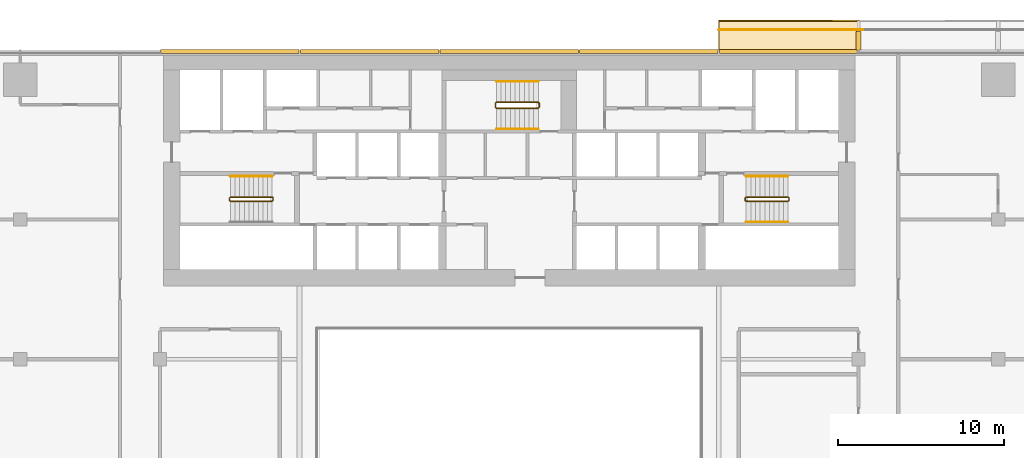
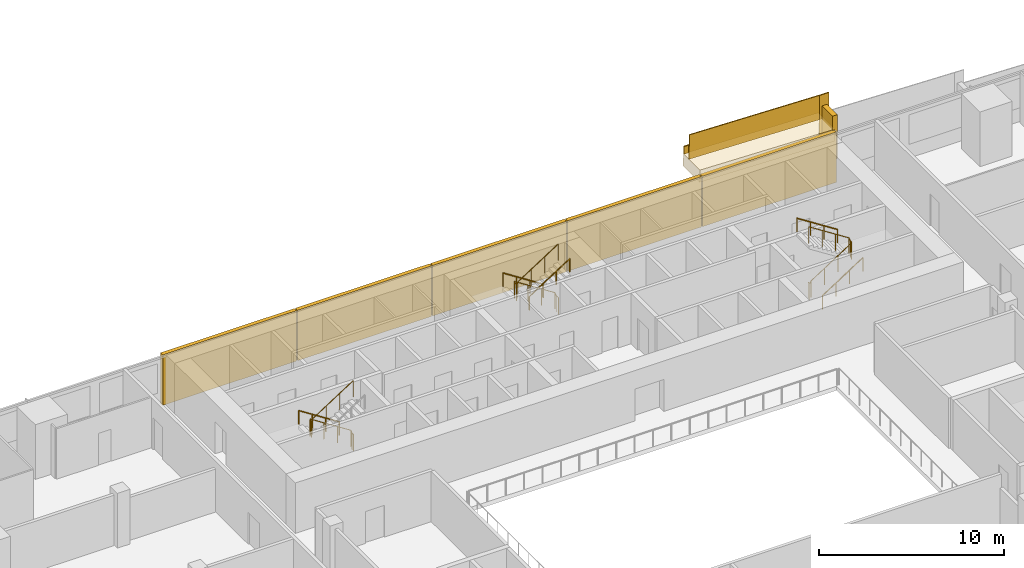
# One storey, part 28 of 30: 10 railings, 8 coverings.
"""IFC4 building model written with IfcOpenShell, lengths in metres."""

from ifc_helpers import new_model, si_unit, direction, frame, origin, origin_2d, place, context, subcontext, project, spatial, polyline, rectangle, circle, outline, extrude, material, layer, layer_set, type_object, element, save


model = new_model("IFC4")

# Units and contexts
model_context = context("Model", 3, precision=1e-05, world=origin(), true_north=direction((0.0, 1.0)))
body_context = subcontext(model_context, "Body", "Model", "MODEL_VIEW")
ifc_project = project(units=[si_unit("LENGTHUNIT", "METRE"), si_unit("AREAUNIT", "SQUARE_METRE"), si_unit("VOLUMEUNIT", "CUBIC_METRE"), si_unit("PLANEANGLEUNIT", "RADIAN"), si_unit("MASSUNIT", "GRAM", prefix="KILO")], contexts=[model_context])

# Site, building, storey
site_placement = place(None, origin())
site = spatial("IfcSite", under=ifc_project, at=site_placement, CompositionType="ELEMENT")
building_placement = place(site_placement, origin())
building = spatial("IfcBuilding", under=site, at=building_placement, Name="Saffron Gate Tower", CompositionType="ELEMENT")
storey_placement = place(building_placement, frame((0.0, 0.0, 95.25)))
storey = spatial("IfcBuildingStorey", under=building, at=storey_placement, Name="L21", CompositionType="ELEMENT", Elevation=95.25)

# Coverings
ifc_material_1 = material(Name="Ceramic-printed bronze insulated panel")
ifc_layer_1 = layer(ifc_material_1, 0.239990234375)
ifc_layer_set_1 = layer_set([ifc_layer_1], Name="CLD2 ceramic-printed cladding panel 240")
covering_type_1 = type_object("IfcCoveringType", Name="CLD2 ceramic-printed cladding panel 240", PredefinedType="CLADDING", material=ifc_layer_set_1)
covering_1_placement = place(storey_placement, origin())
element("IfcCovering", 1, at=covering_1_placement, inside=storey, type_object=covering_type_1, Name="CLADDING ceramic-printed panel", PredefinedType="CLADDING", context=body_context, shape_type="SweptSolid", body=[
    extrude(outline(polyline([(108.56494140625, 75.639892578125), (100.235107421875, 75.639892578125), (100.235107421875, 75.39990234375), (108.56494140625, 75.39990234375), (108.56494140625, 75.639892578125)])), origin(), (0.0, 0.0, 1.0), 3.320068359375),
])
covering_2_placement = place(storey_placement, origin())
element("IfcCovering", 2, at=covering_2_placement, inside=storey, type_object=covering_type_1, Name="CLADDING ceramic-printed panel", PredefinedType="CLADDING", context=body_context, shape_type="SweptSolid", body=[
    extrude(outline(polyline([(100.1650390625, 75.639892578125), (91.8349609375, 75.639892578125), (91.8349609375, 75.39990234375), (100.1650390625, 75.39990234375), (100.1650390625, 75.639892578125)])), origin(), (0.0, 0.0, 1.0), 3.320068359375),
])
covering_3_placement = place(storey_placement, origin())
element("IfcCovering", 3, at=covering_3_placement, inside=storey, type_object=covering_type_1, Name="CLADDING ceramic-printed panel", PredefinedType="CLADDING", context=body_context, shape_type="SweptSolid", body=[
    extrude(outline(polyline([(91.764892578125, 75.639892578125), (83.43505859375, 75.639892578125), (83.43505859375, 75.39990234375), (91.764892578125, 75.39990234375), (91.764892578125, 75.639892578125)])), origin(), (0.0, 0.0, 1.0), 3.320068359375),
])
covering_4_placement = place(storey_placement, origin())
element("IfcCovering", 4, at=covering_4_placement, inside=storey, type_object=covering_type_1, Name="CLADDING ceramic-printed panel", PredefinedType="CLADDING", context=body_context, shape_type="SweptSolid", body=[
    extrude(outline(polyline([(83.364990234375, 75.639892578125), (75.034912109375, 75.639892578125), (75.034912109375, 75.39990234375), (83.364990234375, 75.39990234375), (83.364990234375, 75.639892578125)])), origin(), (0.0, 0.0, 1.0), 3.320068359375),
])
covering_5_placement = place(storey_placement, origin())
element("IfcCovering", 5, at=covering_5_placement, inside=storey, type_object=covering_type_1, Name="CLADDING ceramic-printed panel", PredefinedType="CLADDING", context=body_context, shape_type="SweptSolid", body=[
    extrude(outline(polyline([(74.965087890625, 75.639892578125), (66.635009765625, 75.639892578125), (66.635009765625, 75.39990234375), (74.965087890625, 75.39990234375), (74.965087890625, 75.639892578125)])), origin(), (0.0, 0.0, 1.0), 3.320068359375),
])

# Railings
ifc_material_2 = material(Name="Stainless steel and laminated glass", Category="steel")
railing_type_1 = type_object("IfcRailingType", Name="CR1 Stair guard 1100", PredefinedType="GUARDRAIL", material=ifc_material_2)
railing_1_placement = place(storey_placement, frame((73.39990234375, 66.550048828125, 0.0)))
element("IfcRailing", 6, at=railing_1_placement, inside=storey, type_object=railing_type_1, Name="L21 ST-A stair guard 1", PredefinedType="GUARDRAIL", context=body_context, shape_type="SweptSolid", body=[
    extrude(circle(Radius=0.02392578125, at=origin_2d()), frame((0.0, 0.0, 1.076171875), z_axis=(0.0, 1.0, 0.0), x_axis=(-1.0, 0.0, 0.0)), (0.0, 0.0, 1.0), 0.14990234375),
    extrude(circle(Radius=0.02392578125, at=origin_2d()), frame((0.0, 0.14990234375, 1.076171875), z_axis=(-0.257669022063, 0.258932105505, 0.930892496375), x_axis=(-0.708833529934, -0.705375805398, 0.0)), (0.0, 0.0, 1.0), 0.193359375),
    extrude(circle(Radius=0.02392578125, at=origin_2d()), frame((-0.0498046875, 0.199951171875, 1.255859375), z_axis=(-0.841162588446, 0.0, 0.540782303519), x_axis=(0.0, -1.0, 0.0)), (0.0, 0.0, 1.0), 2.995849609375),
    extrude(circle(Radius=0.02392578125, at=origin_2d()), frame((-2.56982421875, 0.199951171875, 2.8759765625), z_axis=(-0.707106781187, -0.707106781187, 0.0), x_axis=(0.707106781187, -0.707106781187, 0.0)), (0.0, 0.0, 1.0), 0.07080078125),
    extrude(circle(Radius=0.02392578125, at=origin_2d()), frame((-2.619873046875, 0.14990234375, 2.8759765625), z_axis=(0.0, -1.0, 0.0), x_axis=(1.0, 0.0, 0.0)), (0.0, 0.0, 1.0), 0.14990234375),
    extrude(circle(Radius=0.02392578125, at=origin_2d()), frame((-2.619873046875, 0.0, 2.8759765625), z_axis=(0.258847668887, -0.258847668887, 0.930588936439), x_axis=(0.707106781187, 0.707106781187, 0.0)), (0.0, 0.0, 1.0), 0.193359375),
    extrude(circle(Radius=0.02392578125, at=origin_2d()), frame((-2.56982421875, -0.050048828125, 3.05615234375), z_axis=(0.841162588446, 0.0, 0.540782303519), x_axis=(0.0, 1.0, 0.0)), (0.0, 0.0, 1.0), 2.995849609375),
    extrude(circle(Radius=0.02099609375, at=origin_2d()), origin(), (0.0, 0.0, 1.0), 1.052001953125),
    extrude(circle(Radius=0.02099609375, at=origin_2d()), frame((0.0, 0.14990234375, 0.0)), (0.0, 0.0, 1.0), 1.052001953125),
    extrude(circle(Radius=0.02099609375, at=origin_2d()), frame((-0.0498046875, 0.199951171875, 0.179931640625)), (0.0, 0.0, 1.0), 1.052001953125),
    extrude(circle(Radius=0.02099609375, at=origin_2d()), frame((-0.889892578125, 0.199951171875, 0.719970703125)), (0.0, 0.0, 1.0), 1.052001953125),
    extrude(circle(Radius=0.02099609375, at=origin_2d()), frame((-1.729736328125, 0.199951171875, 1.260009765625)), (0.0, 0.0, 1.0), 1.052001953125),
    extrude(circle(Radius=0.02099609375, at=origin_2d()), frame((-2.56982421875, 0.199951171875, 1.800048828125)), (0.0, 0.0, 1.0), 1.052001953125),
    extrude(circle(Radius=0.02099609375, at=origin_2d()), frame((-2.619873046875, 0.14990234375, 1.800048828125)), (0.0, 0.0, 1.0), 1.052001953125),
    extrude(circle(Radius=0.02099609375, at=origin_2d()), frame((-2.619873046875, 0.0, 1.800048828125)), (0.0, 0.0, 1.0), 1.052001953125),
    extrude(circle(Radius=0.02099609375, at=origin_2d()), frame((-2.56982421875, -0.050048828125, 1.97998046875)), (0.0, 0.0, 1.0), 1.052001953125),
    extrude(circle(Radius=0.02099609375, at=origin_2d()), frame((-1.729736328125, -0.050048828125, 2.52001953125)), (0.0, 0.0, 1.0), 1.052001953125),
    extrude(circle(Radius=0.02099609375, at=origin_2d()), frame((-0.889892578125, -0.050048828125, 3.06005859375)), (0.0, 0.0, 1.0), 1.052001953125),
    extrude(circle(Radius=0.02099609375, at=origin_2d()), frame((-0.0498046875, -0.050048828125, 3.60009765625)), (0.0, 0.0, 1.0), 1.052001953125),
])
railing_2_placement = place(storey_placement, frame((101.800048828125, 66.699951171875, 0.0)))
element("IfcRailing", 7, at=railing_2_placement, inside=storey, type_object=railing_type_1, Name="L21 ST-B stair guard 1", PredefinedType="GUARDRAIL", context=body_context, shape_type="SweptSolid", body=[
    extrude(circle(Radius=0.02392578125, at=origin_2d()), frame((0.0, 0.0, 1.076171875), z_axis=(0.0, -1.0, 0.0), x_axis=(1.0, 0.0, 0.0)), (0.0, 0.0, 1.0), 0.14990234375),
    extrude(circle(Radius=0.02392578125, at=origin_2d()), frame((0.0, -0.14990234375, 1.076171875), z_axis=(0.258847668887, -0.258847668887, 0.930588936439), x_axis=(0.707106781187, 0.707106781187, 0.0)), (0.0, 0.0, 1.0), 0.193359375),
    extrude(circle(Radius=0.02392578125, at=origin_2d()), frame((0.050048828125, -0.199951171875, 1.255859375), z_axis=(0.841162588446, 0.0, 0.540782303519), x_axis=(0.0, 1.0, 0.0)), (0.0, 0.0, 1.0), 2.995849609375),
    extrude(circle(Radius=0.02392578125, at=origin_2d()), frame((2.570068359375, -0.199951171875, 2.8759765625), z_axis=(0.705375805398, 0.708833529934, 0.0), x_axis=(-0.708833529934, 0.705375805398, 0.0)), (0.0, 0.0, 1.0), 0.070556640625),
    extrude(circle(Radius=0.02392578125, at=origin_2d()), frame((2.619873046875, -0.14990234375, 2.8759765625), z_axis=(0.0, 1.0, 0.0), x_axis=(-1.0, 0.0, 0.0)), (0.0, 0.0, 1.0), 0.14990234375),
    extrude(circle(Radius=0.02392578125, at=origin_2d()), frame((2.619873046875, 0.0, 2.8759765625), z_axis=(-0.257669022063, 0.258932105505, 0.930892496375), x_axis=(-0.708833529934, -0.705375805398, 0.0)), (0.0, 0.0, 1.0), 0.193359375),
    extrude(circle(Radius=0.02392578125, at=origin_2d()), frame((2.570068359375, 0.050048828125, 3.05615234375), z_axis=(-0.841162588446, 0.0, 0.540782303519), x_axis=(0.0, -1.0, 0.0)), (0.0, 0.0, 1.0), 2.995849609375),
    extrude(circle(Radius=0.02099609375, at=origin_2d()), origin(), (0.0, 0.0, 1.0), 1.052001953125),
    extrude(circle(Radius=0.02099609375, at=origin_2d()), frame((0.0, -0.14990234375, 0.0)), (0.0, 0.0, 1.0), 1.052001953125),
    extrude(circle(Radius=0.02099609375, at=origin_2d()), frame((0.050048828125, -0.199951171875, 0.179931640625)), (0.0, 0.0, 1.0), 1.052001953125),
    extrude(circle(Radius=0.02099609375, at=origin_2d()), frame((0.89013671875, -0.199951171875, 0.719970703125)), (0.0, 0.0, 1.0), 1.052001953125),
    extrude(circle(Radius=0.02099609375, at=origin_2d()), frame((1.72998046875, -0.199951171875, 1.260009765625)), (0.0, 0.0, 1.0), 1.052001953125),
    extrude(circle(Radius=0.02099609375, at=origin_2d()), frame((2.570068359375, -0.199951171875, 1.800048828125)), (0.0, 0.0, 1.0), 1.052001953125),
    extrude(circle(Radius=0.02099609375, at=origin_2d()), frame((2.619873046875, -0.14990234375, 1.800048828125)), (0.0, 0.0, 1.0), 1.052001953125),
    extrude(circle(Radius=0.02099609375, at=origin_2d()), frame((2.619873046875, 0.0, 1.800048828125)), (0.0, 0.0, 1.0), 1.052001953125),
    extrude(circle(Radius=0.02099609375, at=origin_2d()), frame((2.570068359375, 0.050048828125, 1.97998046875)), (0.0, 0.0, 1.0), 1.052001953125),
    extrude(circle(Radius=0.02099609375, at=origin_2d()), frame((1.72998046875, 0.050048828125, 2.52001953125)), (0.0, 0.0, 1.0), 1.052001953125),
    extrude(circle(Radius=0.02099609375, at=origin_2d()), frame((0.89013671875, 0.050048828125, 3.06005859375)), (0.0, 0.0, 1.0), 1.052001953125),
    extrude(circle(Radius=0.02099609375, at=origin_2d()), frame((0.050048828125, 0.050048828125, 3.60009765625)), (0.0, 0.0, 1.0), 1.052001953125),
])
railing_3_placement = place(storey_placement, frame((89.39990234375, 72.14990234375, 0.0)))
element("IfcRailing", 8, at=railing_3_placement, inside=storey, type_object=railing_type_1, Name="L21 ST-C stair guard 1", PredefinedType="GUARDRAIL", context=body_context, shape_type="SweptSolid", body=[
    extrude(circle(Radius=0.02392578125, at=origin_2d()), frame((0.0, 0.0, 1.076171875), z_axis=(0.0, 1.0, 0.0), x_axis=(-1.0, 0.0, 0.0)), (0.0, 0.0, 1.0), 0.25),
    extrude(circle(Radius=0.02392578125, at=origin_2d()), frame((0.0, 0.25, 1.076171875), z_axis=(-0.257669022063, 0.258932105505, 0.930892496375), x_axis=(-0.708833529934, -0.705375805398, 0.0)), (0.0, 0.0, 1.0), 0.193359375),
    extrude(circle(Radius=0.02392578125, at=origin_2d()), frame((-0.0498046875, 0.300048828125, 1.255859375), z_axis=(-0.841162588446, 0.0, 0.540782303519), x_axis=(0.0, -1.0, 0.0)), (0.0, 0.0, 1.0), 2.995849609375),
    extrude(circle(Radius=0.02392578125, at=origin_2d()), frame((-2.56982421875, 0.300048828125, 2.8759765625), z_axis=(-0.707106781187, -0.707106781187, 0.0), x_axis=(0.707106781187, -0.707106781187, 0.0)), (0.0, 0.0, 1.0), 0.07080078125),
    extrude(circle(Radius=0.02392578125, at=origin_2d()), frame((-2.619873046875, 0.25, 2.8759765625), z_axis=(0.0, -1.0, 0.0), x_axis=(1.0, 0.0, 0.0)), (0.0, 0.0, 1.0), 0.25),
    extrude(circle(Radius=0.02392578125, at=origin_2d()), frame((-2.619873046875, 0.0, 2.8759765625), z_axis=(0.258932105505, -0.257669022063, 0.930892496375), x_axis=(0.705375805398, 0.708833529934, 0.0)), (0.0, 0.0, 1.0), 0.193359375),
    extrude(circle(Radius=0.02392578125, at=origin_2d()), frame((-2.56982421875, -0.0498046875, 3.05615234375), z_axis=(0.841162588446, 0.0, 0.540782303519), x_axis=(0.0, 1.0, 0.0)), (0.0, 0.0, 1.0), 2.995849609375),
    extrude(circle(Radius=0.02099609375, at=origin_2d()), origin(), (0.0, 0.0, 1.0), 1.052001953125),
    extrude(circle(Radius=0.02099609375, at=origin_2d()), frame((0.0, 0.25, 0.0)), (0.0, 0.0, 1.0), 1.052001953125),
    extrude(circle(Radius=0.02099609375, at=origin_2d()), frame((-0.0498046875, 0.300048828125, 0.179931640625)), (0.0, 0.0, 1.0), 1.052001953125),
    extrude(circle(Radius=0.02099609375, at=origin_2d()), frame((-0.889892578125, 0.300048828125, 0.719970703125)), (0.0, 0.0, 1.0), 1.052001953125),
    extrude(circle(Radius=0.02099609375, at=origin_2d()), frame((-1.729736328125, 0.300048828125, 1.260009765625)), (0.0, 0.0, 1.0), 1.052001953125),
    extrude(circle(Radius=0.02099609375, at=origin_2d()), frame((-2.56982421875, 0.300048828125, 1.800048828125)), (0.0, 0.0, 1.0), 1.052001953125),
    extrude(circle(Radius=0.02099609375, at=origin_2d()), frame((-2.619873046875, 0.25, 1.800048828125)), (0.0, 0.0, 1.0), 1.052001953125),
    extrude(circle(Radius=0.02099609375, at=origin_2d()), frame((-2.619873046875, 0.0, 1.800048828125)), (0.0, 0.0, 1.0), 1.052001953125),
    extrude(circle(Radius=0.02099609375, at=origin_2d()), frame((-2.56982421875, -0.0498046875, 1.97998046875)), (0.0, 0.0, 1.0), 1.052001953125),
    extrude(circle(Radius=0.02099609375, at=origin_2d()), frame((-1.729736328125, -0.0498046875, 2.52001953125)), (0.0, 0.0, 1.0), 1.052001953125),
    extrude(circle(Radius=0.02099609375, at=origin_2d()), frame((-0.889892578125, -0.0498046875, 3.06005859375)), (0.0, 0.0, 1.0), 1.052001953125),
    extrude(circle(Radius=0.02099609375, at=origin_2d()), frame((-0.0498046875, -0.0498046875, 3.60009765625)), (0.0, 0.0, 1.0), 1.052001953125),
])
ifc_material_3 = material(Name="Stainless steel", Category="steel")
railing_type_2 = type_object("IfcRailingType", Name="CR2 Stair handrail 900", PredefinedType="HANDRAIL", material=ifc_material_3)
railing_4_placement = place(storey_placement, frame((73.35009765625, 68.0, 0.179931640625)))
element("IfcRailing", 9, at=railing_4_placement, inside=storey, type_object=railing_type_2, Name="L21 ST-A stair handrail 1", PredefinedType="HANDRAIL", context=body_context, shape_type="SweptSolid", body=[
    extrude(circle(Radius=0.02392578125, at=origin_2d()), frame((0.0, 0.0, 0.8759765625), z_axis=(-0.841162588446, 0.0, 0.540782303519), x_axis=(0.0, -1.0, 0.0)), (0.0, 0.0, 1.0), 2.995849609375),
    extrude(circle(Radius=0.02099609375, at=origin_2d()), origin(), (0.0, 0.0, 1.0), 0.851806640625),
    extrude(circle(Radius=0.02099609375, at=origin_2d()), frame((-0.840087890625, 0.0, 0.5400390625)), (0.0, 0.0, 1.0), 0.851806640625),
    extrude(circle(Radius=0.02099609375, at=origin_2d()), frame((-1.679931640625, 0.0, 1.080078125)), (0.0, 0.0, 1.0), 0.851806640625),
    extrude(circle(Radius=0.02099609375, at=origin_2d()), frame((-2.52001953125, 0.0, 1.6201171875)), (0.0, 0.0, 1.0), 0.851806640625),
])
railing_5_placement = place(storey_placement, frame((101.85009765625, 65.25, 0.179931640625)))
element("IfcRailing", 10, at=railing_5_placement, inside=storey, type_object=railing_type_2, Name="L21 ST-B stair handrail 1", PredefinedType="HANDRAIL", context=body_context, shape_type="SweptSolid", body=[
    extrude(circle(Radius=0.02392578125, at=origin_2d()), frame((0.0, 0.0, 0.8759765625), z_axis=(0.841162588446, 0.0, 0.540782303519), x_axis=(0.0, 1.0, 0.0)), (0.0, 0.0, 1.0), 2.995849609375),
    extrude(circle(Radius=0.02099609375, at=origin_2d()), origin(), (0.0, 0.0, 1.0), 0.851806640625),
    extrude(circle(Radius=0.02099609375, at=origin_2d()), frame((0.840087890625, 0.0, 0.5400390625)), (0.0, 0.0, 1.0), 0.851806640625),
    extrude(circle(Radius=0.02099609375, at=origin_2d()), frame((1.679931640625, 0.0, 1.080078125)), (0.0, 0.0, 1.0), 0.851806640625),
    extrude(circle(Radius=0.02099609375, at=origin_2d()), frame((2.52001953125, 0.0, 1.6201171875)), (0.0, 0.0, 1.0), 0.851806640625),
])
for number, where, name in (
    (11, (104.3701171875, 68.0, 1.97998046875), "L21 ST-B stair handrail 2"),
    (12, (89.35009765625, 73.699951171875, 0.179931640625), "L21 ST-C stair handrail 1"),
):
    element("IfcRailing", number, at=place(storey_placement, frame(where)), inside=storey, type_object=railing_type_2, Name=name, PredefinedType="HANDRAIL", context=body_context, shape_type="SweptSolid", body=[
        extrude(circle(Radius=0.02392578125, at=origin_2d()), frame((0.0, 0.0, 0.8759765625), z_axis=(-0.841162588446, 0.0, 0.540782303519), x_axis=(0.0, -1.0, 0.0)), (0.0, 0.0, 1.0), 2.995849609375),
        extrude(circle(Radius=0.02099609375, at=origin_2d()), origin(), (0.0, 0.0, 1.0), 0.851806640625),
        extrude(circle(Radius=0.02099609375, at=origin_2d()), frame((-0.840087890625, 0.0, 0.5400390625)), (0.0, 0.0, 1.0), 0.851806640625),
        extrude(circle(Radius=0.02099609375, at=origin_2d()), frame((-1.679931640625, 0.0, 1.080078125)), (0.0, 0.0, 1.0), 0.851806640625),
        extrude(circle(Radius=0.02099609375, at=origin_2d()), frame((-2.52001953125, 0.0, 1.6201171875)), (0.0, 0.0, 1.0), 0.851806640625),
    ])
railing_6_placement = place(storey_placement, frame((86.830078125, 70.85009765625, 1.97998046875)))
element("IfcRailing", 13, at=railing_6_placement, inside=storey, type_object=railing_type_2, Name="L21 ST-C stair handrail 2", PredefinedType="HANDRAIL", context=body_context, shape_type="SweptSolid", body=[
    extrude(circle(Radius=0.02392578125, at=origin_2d()), frame((0.0, 0.0, 0.8759765625), z_axis=(0.841162588446, 0.0, 0.540782303519), x_axis=(0.0, 1.0, 0.0)), (0.0, 0.0, 1.0), 2.995849609375),
    extrude(circle(Radius=0.02099609375, at=origin_2d()), origin(), (0.0, 0.0, 1.0), 0.851806640625),
    extrude(circle(Radius=0.02099609375, at=origin_2d()), frame((0.840087890625, 0.0, 0.5400390625)), (0.0, 0.0, 1.0), 0.851806640625),
    extrude(circle(Radius=0.02099609375, at=origin_2d()), frame((1.679931640625, 0.0, 1.080078125)), (0.0, 0.0, 1.0), 0.851806640625),
    extrude(circle(Radius=0.02099609375, at=origin_2d()), frame((2.52001953125, 0.0, 1.6201171875)), (0.0, 0.0, 1.0), 0.851806640625),
])

# Coverings
ifc_material_4 = material(Name="Timber, thermally modified ash", Category="wood")
ifc_layer_2 = layer(ifc_material_4, 0.800048828125)
ifc_layer_set_2 = layer_set([ifc_layer_2], Name="LD1 ledge timber")
covering_type_2 = type_object("IfcCoveringType", Name="LD1 ledge timber", PredefinedType="CLADDING", material=ifc_layer_set_2)
covering_6_placement = place(storey_placement, frame((108.60009765625, 75.60009765625, 3.37255859375), z_axis=(0.028790339263, 0.0, 0.999585472266), x_axis=(-0.999585472266, 0.0, 0.028790339263)))
element("IfcCovering", 14, at=covering_6_placement, inside=storey, type_object=covering_type_2, Name="LEDGE", PredefinedType="CLADDING", context=body_context, shape_type="SweptSolid", body=[
    extrude(outline(polyline([(0.0, 0.0), (8.403630022085892, 0.0), (8.403630022085892, -1.7998046875), (0.0, -1.7998046875), (0.0, 0.0)])), origin(), (0.0, 0.0, -1.0), 0.800048828125),
])
ifc_layer_3 = layer(ifc_material_4, 0.080078125)
ifc_layer_set_3 = layer_set([ifc_layer_3], Name="LD2 ledge planter trough")
covering_type_3 = type_object("IfcCoveringType", Name="LD2 ledge planter trough", PredefinedType="CLADDING", material=ifc_layer_set_3)
covering_7_placement = place(storey_placement, frame((108.60009765625, 77.39990234375, 3.37255859375), z_axis=(0.0, 1.0, 0.0), x_axis=(-0.999585472266, 0.0, 0.028790339263)))
element("IfcCovering", 15, at=covering_7_placement, inside=storey, type_object=covering_type_3, Name="LEDGE planter trough", PredefinedType="CLADDING", context=body_context, shape_type="SweptSolid", body=[
    extrude(outline(polyline([(0.0, 0.0), (8.403630022085892, 0.0), (8.418025191717298, 0.4997927361329725), (0.014395169631405694, 0.4997927361329725), (0.0, 0.0)])), origin(), (0.0, 0.0, -1.0), 0.080078125),
])
ifc_layer_4 = layer(ifc_material_4, 0.300048828125)
ifc_layer_set_4 = layer_set([ifc_layer_4], Name="LD3 ledge riser fin")
covering_type_4 = type_object("IfcCoveringType", Name="LD3 ledge riser fin", PredefinedType="CLADDING", material=ifc_layer_set_4)
covering_8_placement = place(storey_placement, frame((108.60009765625, 76.159912109375, 1.372314453125), z_axis=(0.0, 0.0, 1.0), x_axis=(-1.0, 0.0, 0.0)))
element("IfcCovering", 16, at=covering_8_placement, inside=storey, type_object=covering_type_4, Name="LEDGE riser fin", PredefinedType="CLADDING", context=body_context, shape_type="SweptSolid", body=[
    extrude(rectangle(XDim=0.300048828125, YDim=1.1201171875, at=origin_2d()), origin(), (0.0, 0.0, 1.0), 2.900390625),
])

# Railings
railing_type_3 = type_object("IfcRailingType", Name="LG1 ledge balustrade", PredefinedType="BALUSTRADE", material=ifc_material_4)
railing_7_placement = place(storey_placement, frame((108.60009765625, 76.800048828125, 3.37255859375)))
element("IfcRailing", 17, at=railing_7_placement, inside=storey, type_object=railing_type_3, Name="LEDGE BALUSTRADE", PredefinedType="BALUSTRADE", context=body_context, shape_type="SweptSolid", body=[
    extrude(rectangle(XDim=0.06005859375, YDim=1.60009765625, at=origin_2d()), frame((0.0, 0.0, 0.800048828125), z_axis=(-0.999585472266, 0.0, 0.028790339263), x_axis=(0.0, -1.0, 0.0)), (0.0, 0.0, 1.0), 8.403564453125),
])
railing_8_placement = place(storey_placement, frame((108.89990234375, 76.800048828125, 2.172119140625)))
element("IfcRailing", 18, at=railing_8_placement, inside=storey, type_object=railing_type_3, Name="LEDGE BALUSTRADE", PredefinedType="BALUSTRADE", context=body_context, shape_type="SweptSolid", body=[
    extrude(rectangle(XDim=0.06005859375, YDim=2.80029296875, at=origin_2d()), frame((0.0, 0.0, 1.400146484375), z_axis=(-1.0, 0.0, 0.0), x_axis=(0.0, -1.0, 0.0)), (0.0, 0.0, 1.0), 0.599853515625),
])

save(model, "model.ifc")
